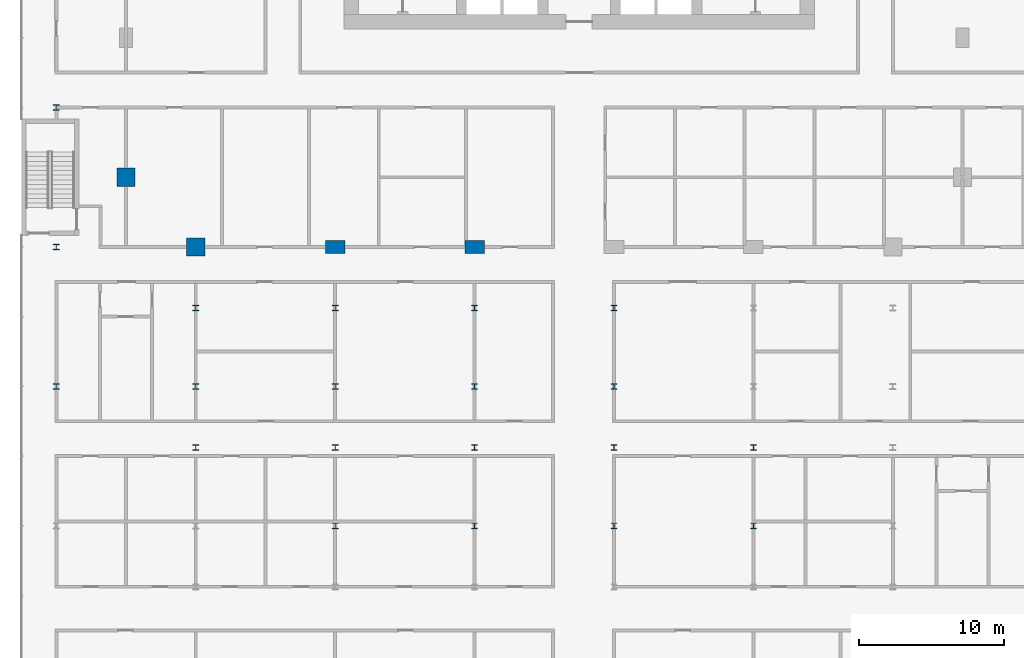
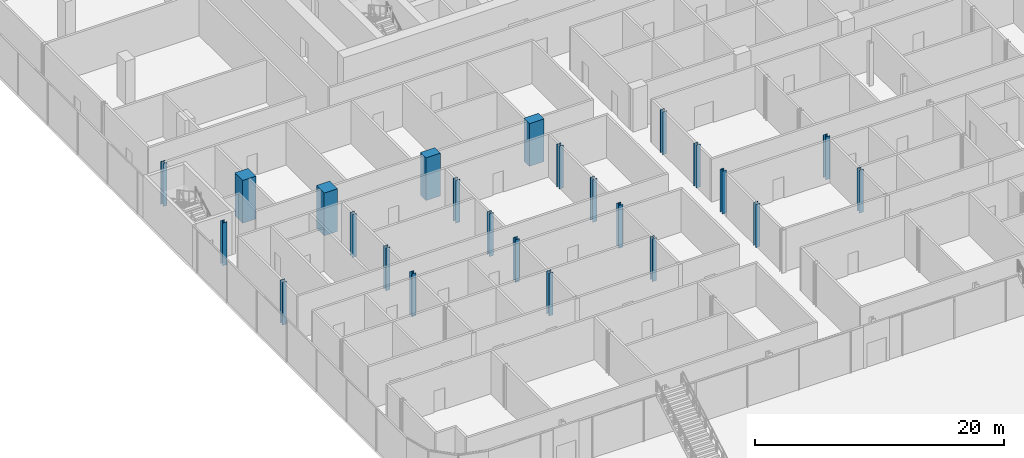
# One storey, part 2 of 45: 24 columns.
"""IFC4 building model written with IfcOpenShell, lengths in metres."""

from ifc_helpers import new_model, si_unit, direction, frame, origin, origin_2d, place, context, subcontext, project, spatial, rectangle, i_section, extrude, material, material_profile, profile_set, type_object, element, save


model = new_model("IFC4")

# Units and contexts
model_context = context("Model", 3, precision=1e-05, world=origin(), true_north=direction((0.0, 1.0)))
body_context = subcontext(model_context, "Body", "Model", "MODEL_VIEW")
ifc_project = project(units=[si_unit("LENGTHUNIT", "METRE"), si_unit("AREAUNIT", "SQUARE_METRE"), si_unit("VOLUMEUNIT", "CUBIC_METRE"), si_unit("PLANEANGLEUNIT", "RADIAN"), si_unit("MASSUNIT", "GRAM", prefix="KILO")], contexts=[model_context])

# Site, building, storey
site_placement = place(None, origin())
site = spatial("IfcSite", under=ifc_project, at=site_placement, CompositionType="ELEMENT")
building_placement = place(site_placement, origin())
building = spatial("IfcBuilding", under=site, at=building_placement, Name="Madar Terraces", CompositionType="ELEMENT")
storey_placement = place(building_placement, frame((0.0, 0.0, 6.0)))
storey = spatial("IfcBuildingStorey", under=building, at=storey_placement, Name="L01", CompositionType="ELEMENT", Elevation=6.0)

# Columns
ifc_material_1 = material(Name="Concrete C80/95", Category="concrete")
ifc_material_profile_1 = material_profile(ifc_material_1, rectangle(XDim=1.35009765625, YDim=0.89990234375, at=origin_2d()), Name="CC1 RC 1350x900")
ifc_profile_set_1 = profile_set([ifc_material_profile_1], Name="Concrete C80/95")
column_type_1 = type_object("IfcColumnType", Name="CC1 RC 1350x900", PredefinedType="COLUMN", material=ifc_profile_set_1)
for number, where, z_axis, x_axis, name in (
    (1, (14.39990234375, 0.0, 0.0), (0.0, 0.0, 1.0), (1.0, 0.0, 0.0), "Perimeter column S2"),
    (2, (24.0, 0.0, 0.0), (0.0, 0.0, 1.0), (1.0, 0.0, 0.0), "Perimeter column S3"),
):
    element("IfcColumn", number, at=place(storey_placement, frame(where, z_axis=z_axis, x_axis=x_axis)), inside=storey, type_object=column_type_1, Name=name, PredefinedType="COLUMN", context=body_context, shape_type="SweptSolid", body=[
        extrude(rectangle(XDim=1.35009765625, YDim=0.89990234375, at=origin_2d()), origin(), (0.0, 0.0, 1.0), 4.199951171875),
    ])
ifc_material_2 = material(Name="Concrete C80/95", Category="concrete")
ifc_material_profile_2 = material_profile(ifc_material_2, rectangle(XDim=1.25, YDim=1.25, at=origin_2d()), Name="KC1 RC 1250x1250")
ifc_profile_set_2 = profile_set([ifc_material_profile_2], Name="Concrete C80/95")
column_type_2 = type_object("IfcColumnType", Name="KC1 RC 1250x1250", PredefinedType="COLUMN", material=ifc_profile_set_2)
for number, where, z_axis, x_axis, name in (
    (3, (4.800048828125, 0.0, 0.0), (0.0, 0.0, 1.0), (1.0, 0.0, 0.0), "Perimeter column S1"),
    (4, (0.0, 4.800048828125, 0.0), (0.0, 0.0, 1.0), (1.0, 0.0, 0.0), "Perimeter column W5"),
):
    element("IfcColumn", number, at=place(storey_placement, frame(where, z_axis=z_axis, x_axis=x_axis)), inside=storey, type_object=column_type_2, Name=name, PredefinedType="COLUMN", context=body_context, shape_type="SweptSolid", body=[
        extrude(rectangle(XDim=1.25, YDim=1.25, at=origin_2d()), origin(), (0.0, 0.0, 1.0), 4.199951171875),
    ])
ifc_material_3 = material(Name="Steel ASTM A992 Grade 50", Category="steel")
ifc_material_profile_3 = material_profile(ifc_material_3, i_section(OverallWidth=0.396240234375, OverallDepth=0.381103515625, WebThickness=0.01904296875, FlangeThickness=0.0302734375, at=origin_2d()), Name="W14x159")
ifc_profile_set_3 = profile_set([ifc_material_profile_3], Name="Steel ASTM A992 Grade 50")
column_type_3 = type_object("IfcColumnType", Name="PC2 W14x159", PredefinedType="COLUMN", material=ifc_profile_set_3)
for number, where, z_axis, x_axis, name in (
    (5, (-4.800048828125, -9.60009765625, 0.0), (0.0, 0.0, 1.0), (1.0, 0.0, 0.0), "Podium column PC2"),
    (6, (-4.800048828125, 0.0, 0.0), (0.0, 0.0, 1.0), (1.0, 0.0, 0.0), "Podium column PC2"),
    (7, (-4.800048828125, 9.60009765625, 0.0), (0.0, 0.0, 1.0), (1.0, 0.0, 0.0), "Podium column PC2"),
    (8, (4.800048828125, -13.800048828125, 0.0), (0.0, 0.0, 1.0), (1.0, 0.0, 0.0), "Podium column PC2"),
    (9, (4.800048828125, -9.60009765625, 0.0), (0.0, 0.0, 1.0), (1.0, 0.0, 0.0), "Podium column PC2"),
    (10, (4.800048828125, -4.199951171875, 0.0), (0.0, 0.0, 1.0), (1.0, 0.0, 0.0), "Podium column PC2"),
    (11, (14.39990234375, -19.199951171875, 0.0), (0.0, 0.0, 1.0), (1.0, 0.0, 0.0), "Podium column PC2"),
    (12, (14.39990234375, -13.800048828125, 0.0), (0.0, 0.0, 1.0), (1.0, 0.0, 0.0), "Podium column PC2"),
    (13, (14.39990234375, -9.60009765625, 0.0), (0.0, 0.0, 1.0), (1.0, 0.0, 0.0), "Podium column PC2"),
    (14, (14.39990234375, -4.199951171875, 0.0), (0.0, 0.0, 1.0), (1.0, 0.0, 0.0), "Podium column PC2"),
    (15, (24.0, -19.199951171875, 0.0), (0.0, 0.0, 1.0), (1.0, 0.0, 0.0), "Podium column PC2"),
    (16, (24.0, -13.800048828125, 0.0), (0.0, 0.0, 1.0), (1.0, 0.0, 0.0), "Podium column PC2"),
    (17, (24.0, -9.60009765625, 0.0), (0.0, 0.0, 1.0), (1.0, 0.0, 0.0), "Podium column PC2"),
    (18, (24.0, -4.199951171875, 0.0), (0.0, 0.0, 1.0), (1.0, 0.0, 0.0), "Podium column PC2"),
    (19, (33.60009765625, -19.199951171875, 0.0), (0.0, 0.0, 1.0), (1.0, 0.0, 0.0), "Podium column PC2"),
    (20, (33.60009765625, -13.800048828125, 0.0), (0.0, 0.0, 1.0), (1.0, 0.0, 0.0), "Podium column PC2"),
    (21, (33.60009765625, -9.60009765625, 0.0), (0.0, 0.0, 1.0), (1.0, 0.0, 0.0), "Podium column PC2"),
    (22, (33.60009765625, -4.199951171875, 0.0), (0.0, 0.0, 1.0), (1.0, 0.0, 0.0), "Podium column PC2"),
    (23, (43.199951171875, -19.199951171875, 0.0), (0.0, 0.0, 1.0), (1.0, 0.0, 0.0), "Podium column PC2"),
    (24, (43.199951171875, -13.800048828125, 0.0), (0.0, 0.0, 1.0), (1.0, 0.0, 0.0), "Podium column PC2"),
):
    element("IfcColumn", number, at=place(storey_placement, frame(where, z_axis=z_axis, x_axis=x_axis)), inside=storey, type_object=column_type_3, Name=name, PredefinedType="COLUMN", context=body_context, shape_type="SweptSolid", body=[
        extrude(i_section(OverallWidth=0.396240234375, OverallDepth=0.381103515625, WebThickness=0.01904296875, FlangeThickness=0.0302734375, at=origin_2d()), origin(), (0.0, 0.0, 1.0), 4.199951171875),
    ])

save(model, "model.ifc")
